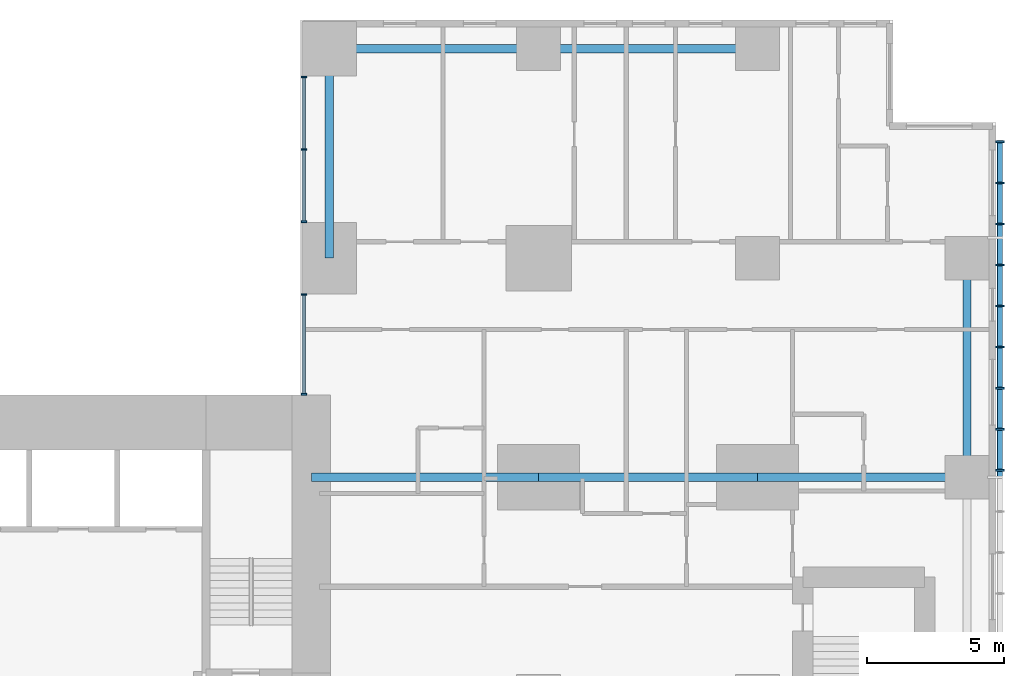
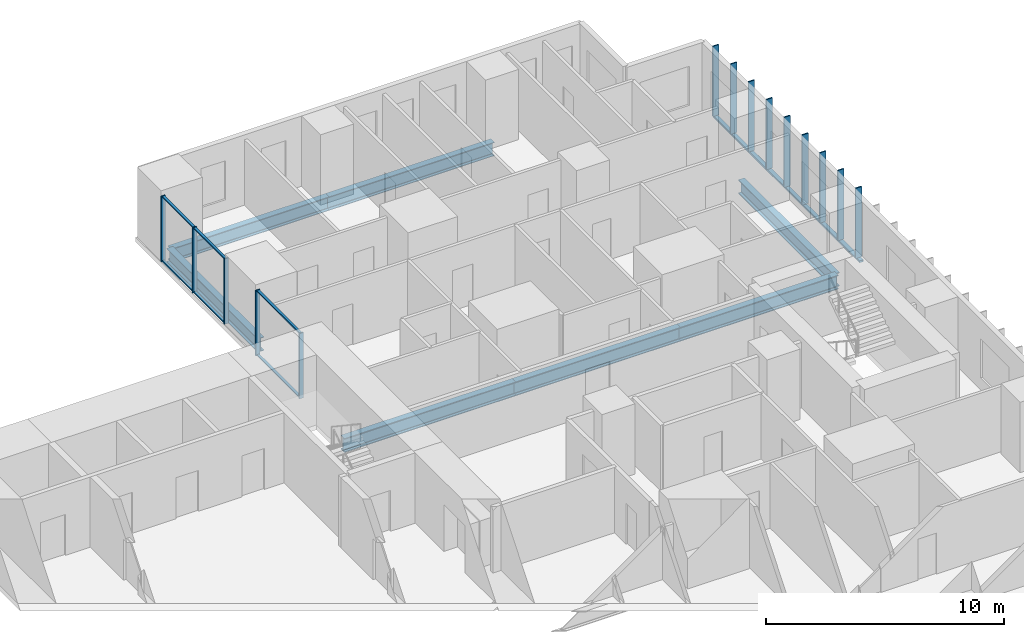
# One storey, part 3 of 12: 21 members, 7 beams, 2 elements without a shape of their own.
"""IFC4 building model written with IfcOpenShell, lengths in metres."""

from ifc_helpers import new_model, si_unit, direction, frame, origin, origin_2d, place, context, subcontext, project, spatial, rectangle, hollow_rectangle, i_section, extrude, material, layer, layer_set, material_profile, profile_set, type_object, element, aggregate, save


model = new_model("IFC4")

# Units and contexts
model_context = context("Model", 3, precision=1e-05, world=origin(), true_north=direction((0.0, 1.0)))
body_context = subcontext(model_context, "Body", "Model", "MODEL_VIEW")
ifc_project = project(units=[si_unit("LENGTHUNIT", "METRE"), si_unit("AREAUNIT", "SQUARE_METRE"), si_unit("VOLUMEUNIT", "CUBIC_METRE"), si_unit("PLANEANGLEUNIT", "RADIAN"), si_unit("MASSUNIT", "GRAM", prefix="KILO")], contexts=[model_context])

# Site, building, storey
site_placement = place(None, origin())
site = spatial("IfcSite", under=ifc_project, at=site_placement, CompositionType="ELEMENT")
building_placement = place(site_placement, origin())
building = spatial("IfcBuilding", under=site, at=building_placement, Name="Cleftline Residences", CompositionType="ELEMENT")
storey_placement = place(building_placement, frame((0.0, 0.0, 270.0)))
storey = spatial("IfcBuildingStorey", under=building, at=storey_placement, Name="L71", CompositionType="ELEMENT", Elevation=270.0)

# Member
ifc_material_1 = material(Name="Steel S355, hot-dip galvanised", Category="steel")
ifc_material_profile_1 = material_profile(ifc_material_1, hollow_rectangle(XDim=0.10009765625, YDim=0.199951171875, WallThickness=0.008056640625, InnerFilletRadius=0.008056640625, OuterFilletRadius=0.011962890625, at=origin_2d()))
ifc_profile_set_1 = profile_set([ifc_material_profile_1], Name="Steel S355, hot-dip galvanised")
member_type_1 = type_object("IfcMemberType", Name="BAGUETTE CARRIER RHS 200X100X8", PredefinedType="USERDEFINED", material=ifc_profile_set_1)
member_1_placement = place(storey_placement, frame((66.85009765625, 32.0, -0.050048828125), z_axis=(0.0, 1.0, 0.0), x_axis=(0.0, 0.0, 1.0)))
element("IfcMember", 1, at=member_1_placement, inside=storey, type_object=member_type_1, Name="Baguette carrier", ObjectType="BAGUETTE CARRIER", PredefinedType="USERDEFINED", context=body_context, shape_type="SweptSolid", body=[
    extrude(hollow_rectangle(XDim=0.10009765625, YDim=0.199951171875, WallThickness=0.008056640625, InnerFilletRadius=0.008056640625, OuterFilletRadius=0.011962890625, at=origin_2d()), origin(), (0.0, 0.0, 1.0), 12.300048828125),
])

# Beams
ifc_material_2 = material(Name="Steel S355", Category="steel")
ifc_material_profile_2 = material_profile(ifc_material_2, i_section(OverallWidth=0.300048828125, OverallDepth=0.699951171875, WebThickness=0.01708984375, FlangeThickness=0.031982421875, FilletRadius=0.027099609375, at=origin_2d()))
ifc_profile_set_2 = profile_set([ifc_material_profile_2], Name="Steel S355")
beam_type_1 = type_object("IfcBeamType", Name="BEAM HEB 700", PredefinedType="BEAM", material=ifc_profile_set_2)
for number, where, z_axis, x_axis, name in (
    (2, (65.64990234375, 32.0, -0.60009765625), (0.0, 1.0, 0.0), (-1.0, 0.0, 0.0), "Edge beam"),
    (3, (58.0, 47.64990234375, -0.60009765625), (-1.0, 0.0, 0.0), (0.0, -1.0, 0.0), "Edge beam"),
):
    element("IfcBeam", number, at=place(storey_placement, frame(where, z_axis=z_axis, x_axis=x_axis)), inside=storey, type_object=beam_type_1, Name=name, PredefinedType="BEAM", context=body_context, shape_type="SweptSolid", body=[
        extrude(i_section(OverallWidth=0.300048828125, OverallDepth=0.699951171875, WebThickness=0.01708984375, FlangeThickness=0.031982421875, FilletRadius=0.027099609375, at=origin_2d()), origin(), (0.0, 0.0, 1.0), 8.0),
    ])
for number, where, z_axis, x_axis, name in (
    (4, (50.0, 47.64990234375, -0.60009765625), (-1.0, 0.0, 0.0), (0.0, -1.0, 0.0), "Edge beam"),
    (5, (42.35009765625, 47.64990234375, -0.60009765625), (0.0, -1.0, 0.0), (1.0, 0.0, 0.0), "Edge beam"),
):
    element("IfcBeam", number, at=place(storey_placement, frame(where, z_axis=z_axis, x_axis=x_axis)), inside=storey, type_object=beam_type_1, Name=name, PredefinedType="BEAM", context=body_context, shape_type="SweptSolid", body=[
        extrude(i_section(OverallWidth=0.300048828125, OverallDepth=0.699951171875, WebThickness=0.01708984375, FlangeThickness=0.031982421875, FilletRadius=0.027099609375, at=origin_2d()), origin(), (0.0, 0.0, 1.0), 7.64990234375),
    ])
ifc_material_3 = material(Name="Steel S355", Category="steel")
ifc_material_profile_3 = material_profile(ifc_material_3, i_section(OverallWidth=0.303955078125, OverallDepth=0.716064453125, WebThickness=0.02099609375, FlangeThickness=0.0400390625, FilletRadius=0.027099609375, at=origin_2d()))
ifc_profile_set_3 = profile_set([ifc_material_profile_3], Name="Steel S355")
beam_type_2 = type_object("IfcBeamType", Name="BEAM HEM 700", PredefinedType="BEAM", material=ifc_profile_set_3)
beam_1_placement = place(storey_placement, frame((65.64990234375, 32.0, -0.60791015625), z_axis=(-1.0, 0.0, 0.0), x_axis=(0.0, -1.0, 0.0)))
element("IfcBeam", 6, at=beam_1_placement, inside=storey, type_object=beam_type_2, Name="Band beam", PredefinedType="BEAM", context=body_context, shape_type="SweptSolid", body=[
    extrude(i_section(OverallWidth=0.303955078125, OverallDepth=0.716064453125, WebThickness=0.02099609375, FlangeThickness=0.0400390625, FilletRadius=0.027099609375, at=origin_2d()), origin(), (0.0, 0.0, 1.0), 7.64990234375),
])
beam_2_placement = place(storey_placement, frame((58.0, 32.0, -0.60791015625), z_axis=(-1.0, 0.0, 0.0), x_axis=(0.0, -1.0, 0.0)))
element("IfcBeam", 7, at=beam_2_placement, inside=storey, type_object=beam_type_2, Name="Band beam", PredefinedType="BEAM", context=body_context, shape_type="SweptSolid", body=[
    extrude(i_section(OverallWidth=0.303955078125, OverallDepth=0.716064453125, WebThickness=0.02099609375, FlangeThickness=0.0400390625, FilletRadius=0.027099609375, at=origin_2d()), origin(), (0.0, 0.0, 1.0), 8.0),
])
beam_3_placement = place(storey_placement, frame((50.0, 32.0, -0.60791015625), z_axis=(-1.0, 0.0, 0.0), x_axis=(0.0, -1.0, 0.0)))
element("IfcBeam", 8, at=beam_3_placement, inside=storey, type_object=beam_type_2, Name="Band beam", PredefinedType="BEAM", context=body_context, shape_type="SweptSolid", body=[
    extrude(i_section(OverallWidth=0.303955078125, OverallDepth=0.716064453125, WebThickness=0.02099609375, FlangeThickness=0.0400390625, FilletRadius=0.027099609375, at=origin_2d()), origin(), (0.0, 0.0, 1.0), 8.300048828125),
])

# Curtain wall, members
ifc_material_4 = material(Name="Aluminium framed curtain wall", Category="aluminium")
ifc_layer = layer(ifc_material_4, 0.199951171875)
ifc_layer_set = layer_set([ifc_layer], Name="CW1 CLEFT GLAZING")
curtain_wall_type = type_object("IfcCurtainWallType", Name="CW1 CLEFT GLAZING", PredefinedType="NOTDEFINED", material=ifc_layer_set)
curtain_wall_1_placement = place(storey_placement, origin())
curtain_wall_1 = element("IfcCurtainWall", 9, at=curtain_wall_1_placement, inside=storey, type_object=curtain_wall_type, Name="Curtain wall CW1", PredefinedType="NOTDEFINED")
ifc_material_5 = material(Name="Aluminium mullion", Category="aluminium")
ifc_material_profile_4 = material_profile(ifc_material_5, rectangle(XDim=0.199951171875, YDim=0.06005859375, at=origin_2d()))
ifc_profile_set_4 = profile_set([ifc_material_profile_4], Name="Aluminium mullion")
member_type_2 = type_object("IfcMemberType", Name="CW1 MULLION", PredefinedType="MULLION", material=ifc_profile_set_4)
member_2_placement = place(storey_placement, frame((41.425048828125, 46.6201171875, 0.0), z_axis=(0.0, 0.0, 1.0), x_axis=(1.0, 0.0, 0.0)))
member_2 = element("IfcMember", 10, at=member_2_placement, type_object=member_type_2, Name="CW1 mullion 1", PredefinedType="MULLION", context=body_context, shape_type="SweptSolid", body=[
    extrude(rectangle(XDim=0.199951171875, YDim=0.06005859375, at=origin_2d()), origin(), (0.0, 0.0, 1.0), 3.35009765625),
])
member_3_placement = place(storey_placement, frame((41.425048828125, 43.97509765625, 0.0), z_axis=(0.0, 0.0, 1.0), x_axis=(1.0, 0.0, 0.0)))
member_3 = element("IfcMember", 11, at=member_3_placement, type_object=member_type_2, Name="CW1 mullion 2", PredefinedType="MULLION", context=body_context, shape_type="SweptSolid", body=[
    extrude(rectangle(XDim=0.199951171875, YDim=0.06005859375, at=origin_2d()), origin(), (0.0, 0.0, 1.0), 3.35009765625),
])
member_4_placement = place(storey_placement, frame((41.425048828125, 41.330078125, 0.0), z_axis=(0.0, 0.0, 1.0), x_axis=(1.0, 0.0, 0.0)))
member_4 = element("IfcMember", 12, at=member_4_placement, type_object=member_type_2, Name="CW1 mullion 3", PredefinedType="MULLION", context=body_context, shape_type="SweptSolid", body=[
    extrude(rectangle(XDim=0.199951171875, YDim=0.06005859375, at=origin_2d()), origin(), (0.0, 0.0, 1.0), 3.35009765625),
])

curtain_wall_2_placement = place(storey_placement, origin())
curtain_wall_2 = element("IfcCurtainWall", 13, at=curtain_wall_2_placement, inside=storey, type_object=curtain_wall_type, Name="Curtain wall CW1", PredefinedType="NOTDEFINED")
member_5_placement = place(storey_placement, frame((41.425048828125, 38.669921875, 0.0), z_axis=(0.0, 0.0, 1.0), x_axis=(1.0, 0.0, 0.0)))
member_5 = element("IfcMember", 14, at=member_5_placement, type_object=member_type_2, Name="CW1 mullion 1", PredefinedType="MULLION", context=body_context, shape_type="SweptSolid", body=[
    extrude(rectangle(XDim=0.199951171875, YDim=0.06005859375, at=origin_2d()), origin(), (0.0, 0.0, 1.0), 3.35009765625),
])
member_6_placement = place(storey_placement, frame((41.425048828125, 35.030029296875, 0.0), z_axis=(0.0, 0.0, 1.0), x_axis=(1.0, 0.0, 0.0)))
member_6 = element("IfcMember", 15, at=member_6_placement, type_object=member_type_2, Name="CW1 mullion 2", PredefinedType="MULLION", context=body_context, shape_type="SweptSolid", body=[
    extrude(rectangle(XDim=0.199951171875, YDim=0.06005859375, at=origin_2d()), origin(), (0.0, 0.0, 1.0), 3.35009765625),
])

# Member
ifc_material_6 = material(Name="Aluminium transom", Category="aluminium")
ifc_material_profile_5 = material_profile(ifc_material_6, rectangle(XDim=0.1201171875, YDim=0.06005859375, at=origin_2d()))
ifc_profile_set_5 = profile_set([ifc_material_profile_5], Name="Aluminium transom")
member_type_3 = type_object("IfcMemberType", Name="CW1 TRANSOM", PredefinedType="USERDEFINED", material=ifc_profile_set_5)
member_7_placement = place(storey_placement, frame((41.425048828125, 46.590087890625, 0.030029296875), z_axis=(0.0, -1.0, 0.0), x_axis=(1.0, 0.0, 0.0)))
member_7 = element("IfcMember", 16, at=member_7_placement, type_object=member_type_3, Name="CW1 transom 1.1", ObjectType="TRANSOM", PredefinedType="USERDEFINED", context=body_context, shape_type="SweptSolid", body=[
    extrude(rectangle(XDim=0.1201171875, YDim=0.06005859375, at=origin_2d()), origin(), (0.0, 0.0, 1.0), 2.585205078125),
])

member_8_placement = place(storey_placement, frame((41.425048828125, 46.590087890625, 3.320068359375), z_axis=(0.0, -1.0, 0.0), x_axis=(1.0, 0.0, 0.0)))
member_8 = element("IfcMember", 17, at=member_8_placement, type_object=member_type_3, Name="CW1 transom 1.2", ObjectType="TRANSOM", PredefinedType="USERDEFINED", context=body_context, shape_type="SweptSolid", body=[
    extrude(rectangle(XDim=0.1201171875, YDim=0.06005859375, at=origin_2d()), origin(), (0.0, 0.0, 1.0), 2.585205078125),
])

member_9_placement = place(storey_placement, frame((41.425048828125, 43.945068359375, 0.030029296875), z_axis=(0.0, -1.0, 0.0), x_axis=(1.0, 0.0, 0.0)))
member_9 = element("IfcMember", 18, at=member_9_placement, type_object=member_type_3, Name="CW1 transom 2.1", ObjectType="TRANSOM", PredefinedType="USERDEFINED", context=body_context, shape_type="SweptSolid", body=[
    extrude(rectangle(XDim=0.1201171875, YDim=0.06005859375, at=origin_2d()), origin(), (0.0, 0.0, 1.0), 2.5849609375),
])

member_10_placement = place(storey_placement, frame((41.425048828125, 43.945068359375, 3.320068359375), z_axis=(0.0, -1.0, 0.0), x_axis=(1.0, 0.0, 0.0)))
member_10 = element("IfcMember", 19, at=member_10_placement, type_object=member_type_3, Name="CW1 transom 2.2", ObjectType="TRANSOM", PredefinedType="USERDEFINED", context=body_context, shape_type="SweptSolid", body=[
    extrude(rectangle(XDim=0.1201171875, YDim=0.06005859375, at=origin_2d()), origin(), (0.0, 0.0, 1.0), 2.5849609375),
])

aggregate(curtain_wall_1, [member_2, member_3, member_4, member_7, member_8, member_9, member_10])

member_11_placement = place(storey_placement, frame((41.425048828125, 38.639892578125, 0.030029296875), z_axis=(0.0, -1.0, 0.0), x_axis=(1.0, 0.0, 0.0)))
member_11 = element("IfcMember", 20, at=member_11_placement, type_object=member_type_3, Name="CW1 transom 1.1", ObjectType="TRANSOM", PredefinedType="USERDEFINED", context=body_context, shape_type="SweptSolid", body=[
    extrude(rectangle(XDim=0.1201171875, YDim=0.06005859375, at=origin_2d()), origin(), (0.0, 0.0, 1.0), 3.579833984375),
])

member_12_placement = place(storey_placement, frame((41.425048828125, 38.639892578125, 3.320068359375), z_axis=(0.0, -1.0, 0.0), x_axis=(1.0, 0.0, 0.0)))
member_12 = element("IfcMember", 21, at=member_12_placement, type_object=member_type_3, Name="CW1 transom 1.2", ObjectType="TRANSOM", PredefinedType="USERDEFINED", context=body_context, shape_type="SweptSolid", body=[
    extrude(rectangle(XDim=0.1201171875, YDim=0.06005859375, at=origin_2d()), origin(), (0.0, 0.0, 1.0), 3.579833984375),
])

aggregate(curtain_wall_2, [member_5, member_6, member_11, member_12])

# Members
ifc_material_7 = material(Name="Extruded terracotta", Category="masonry")
ifc_material_profile_6 = material_profile(ifc_material_7, rectangle(XDim=0.06005859375, YDim=0.300048828125, at=origin_2d()))
ifc_profile_set_6 = profile_set([ifc_material_profile_6], Name="Extruded terracotta")
member_type_4 = type_object("IfcMemberType", Name="TERRACOTTA BAGUETTE 60X300", PredefinedType="USERDEFINED", material=ifc_profile_set_6)
for number, where, z_axis, x_axis, name in (
    (22, (66.85009765625, 32.25, 0.0), (0.0, 0.0, 1.0), (0.0, 1.0, 0.0), "Terracotta baguette"),
    (23, (66.85009765625, 33.75, 0.0), (0.0, 0.0, 1.0), (0.0, 1.0, 0.0), "Terracotta baguette"),
    (24, (66.85009765625, 35.25, 0.0), (0.0, 0.0, 1.0), (0.0, 1.0, 0.0), "Terracotta baguette"),
    (25, (66.85009765625, 36.75, 0.0), (0.0, 0.0, 1.0), (0.0, 1.0, 0.0), "Terracotta baguette"),
    (26, (66.85009765625, 38.25, 0.0), (0.0, 0.0, 1.0), (0.0, 1.0, 0.0), "Terracotta baguette"),
    (27, (66.85009765625, 39.75, 0.0), (0.0, 0.0, 1.0), (0.0, 1.0, 0.0), "Terracotta baguette"),
    (28, (66.85009765625, 41.25, 0.0), (0.0, 0.0, 1.0), (0.0, 1.0, 0.0), "Terracotta baguette"),
    (29, (66.85009765625, 42.75, 0.0), (0.0, 0.0, 1.0), (0.0, 1.0, 0.0), "Terracotta baguette"),
    (30, (66.85009765625, 44.25, 0.0), (0.0, 0.0, 1.0), (0.0, 1.0, 0.0), "Terracotta baguette"),
):
    element("IfcMember", number, at=place(storey_placement, frame(where, z_axis=z_axis, x_axis=x_axis)), inside=storey, type_object=member_type_4, Name=name, ObjectType="BAGUETTE", PredefinedType="USERDEFINED", context=body_context, shape_type="SweptSolid", body=[
        extrude(rectangle(XDim=0.06005859375, YDim=0.300048828125, at=origin_2d()), origin(), (0.0, 0.0, 1.0), 3.60009765625),
    ])

save(model, "model.ifc")
